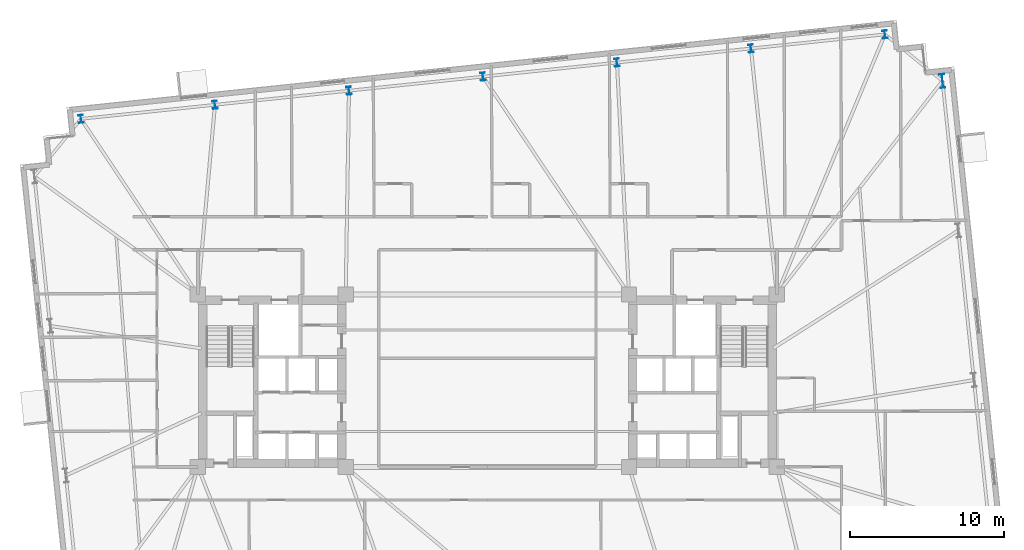
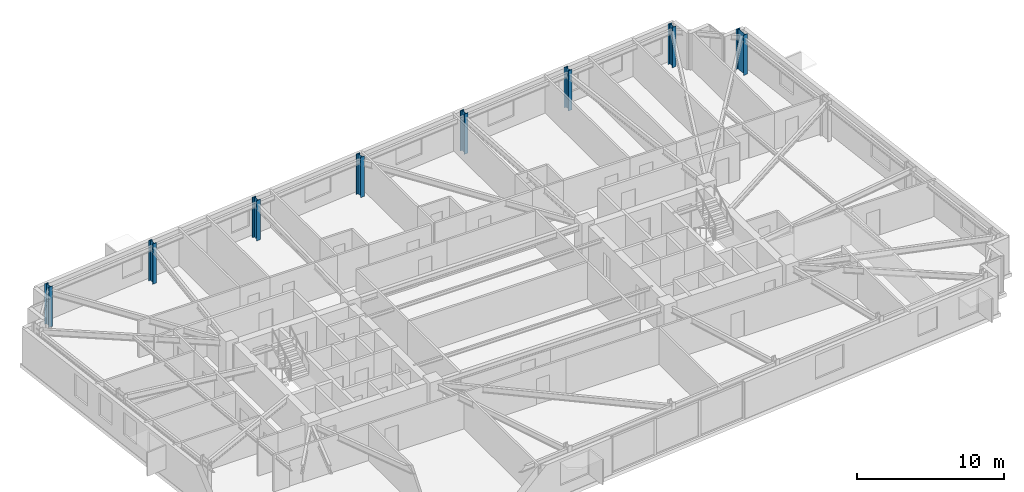
# One storey, part 3 of 23: 8 columns.
"""IFC4 building model written with IfcOpenShell, lengths in metres."""

from ifc_helpers import new_model, si_unit, direction, frame, origin, origin_2d, place, context, subcontext, project, spatial, i_section, extrude, material, material_profile, profile_set, type_object, element, save


model = new_model("IFC4")

# Units and contexts
model_context = context("Model", 3, precision=1e-05, world=origin(), true_north=direction((0.0, 1.0)))
body_context = subcontext(model_context, "Body", "Model", "MODEL_VIEW")
ifc_project = project(units=[si_unit("LENGTHUNIT", "METRE"), si_unit("AREAUNIT", "SQUARE_METRE"), si_unit("VOLUMEUNIT", "CUBIC_METRE"), si_unit("PLANEANGLEUNIT", "RADIAN"), si_unit("MASSUNIT", "GRAM", prefix="KILO")], contexts=[model_context])

# Site, building, storey
site_placement = place(None, origin())
site = spatial("IfcSite", under=ifc_project, at=site_placement, CompositionType="ELEMENT")
building_placement = place(site_placement, origin())
building = spatial("IfcBuilding", under=site, at=building_placement, Name="Qobustan Lattice House", CompositionType="ELEMENT")
storey_placement = place(building_placement, frame((0.0, 0.0, 102.449951171875)))
storey = spatial("IfcBuildingStorey", under=building, at=storey_placement, Name="L28", CompositionType="ELEMENT", Elevation=102.449951171875)

# Columns
ifc_material_1 = material(Name="Steel S355", Category="steel")
ifc_material_profile_1 = material_profile(ifc_material_1, i_section(OverallWidth=0.300048828125, OverallDepth=0.89990234375, WebThickness=0.0185546875, FlangeThickness=0.034912109375, FilletRadius=0.030029296875, at=origin_2d()), Name="HEB900")
ifc_profile_set_1 = profile_set([ifc_material_profile_1], Name="Steel S355")
column_type_1 = type_object("IfcColumnType", Name="COL-ST-HEB900", PredefinedType="COLUMN", material=ifc_profile_set_1)
column_placement = place(storey_placement, frame((29.55615234375, 19.468994140625, 0.0), z_axis=(0.0, 0.0, 1.0), x_axis=(0.994521895368, 0.104528463268, 0.0)))
element("IfcColumn", 1, at=column_placement, inside=storey, type_object=column_type_1, Name="L28 B2 perimeter column E4", PredefinedType="COLUMN", context=body_context, shape_type="SweptSolid", body=[
    extrude(i_section(OverallWidth=0.300048828125, OverallDepth=0.89990234375, WebThickness=0.0185546875, FlangeThickness=0.034912109375, FilletRadius=0.030029296875, at=origin_2d()), origin(), (0.0, 0.0, 1.0), 3.35009765625),
])
ifc_material_2 = material(Name="Steel S355", Category="steel")
ifc_material_profile_2 = material_profile(ifc_material_2, i_section(OverallWidth=0.305908203125, OverallDepth=0.52392578125, WebThickness=0.02099609375, FlangeThickness=0.0400390625, FilletRadius=0.027099609375, at=origin_2d()), Name="HEM500")
ifc_profile_set_2 = profile_set([ifc_material_profile_2], Name="Steel S355")
column_type_2 = type_object("IfcColumnType", Name="COL-ST-HEM500", PredefinedType="COLUMN", material=ifc_profile_set_2)
for number, where, z_axis, x_axis, name in (
    (2, (25.819580078125, 22.4951171875, 0.0), (0.0, 0.0, 1.0), (0.994521895368, 0.104528463268, 0.0), "L28 B2 perimeter column N1"),
    (3, (17.117431640625, 21.580322265625, 0.0), (0.0, 0.0, 1.0), (0.994521895368, 0.104528463268, 0.0), "L28 B2 perimeter column N2"),
    (4, (8.415283203125, 20.665771484375, 0.0), (0.0, 0.0, 1.0), (0.994521895368, 0.104528463268, 0.0), "L28 B2 perimeter column N3"),
    (5, (-0.28662109375, 19.751220703125, 0.0), (0.0, 0.0, 1.0), (0.994521895368, 0.104528463268, 0.0), "L28 B2 perimeter column N4"),
    (6, (-8.98876953125, 18.83642578125, 0.0), (0.0, 0.0, 1.0), (0.994521895368, 0.104528463268, 0.0), "L28 B2 perimeter column N5"),
    (7, (-17.69091796875, 17.921875, 0.0), (0.0, 0.0, 1.0), (0.994521895368, 0.104528463268, 0.0), "L28 B2 perimeter column N6"),
    (8, (-26.392822265625, 17.007080078125, 0.0), (0.0, 0.0, 1.0), (0.994521895368, 0.104528463268, 0.0), "L28 B2 perimeter column N7"),
):
    element("IfcColumn", number, at=place(storey_placement, frame(where, z_axis=z_axis, x_axis=x_axis)), inside=storey, type_object=column_type_2, Name=name, PredefinedType="COLUMN", context=body_context, shape_type="SweptSolid", body=[
        extrude(i_section(OverallWidth=0.305908203125, OverallDepth=0.52392578125, WebThickness=0.02099609375, FlangeThickness=0.0400390625, FilletRadius=0.027099609375, at=origin_2d()), origin(), (0.0, 0.0, 1.0), 3.35009765625),
    ])

save(model, "model.ifc")
